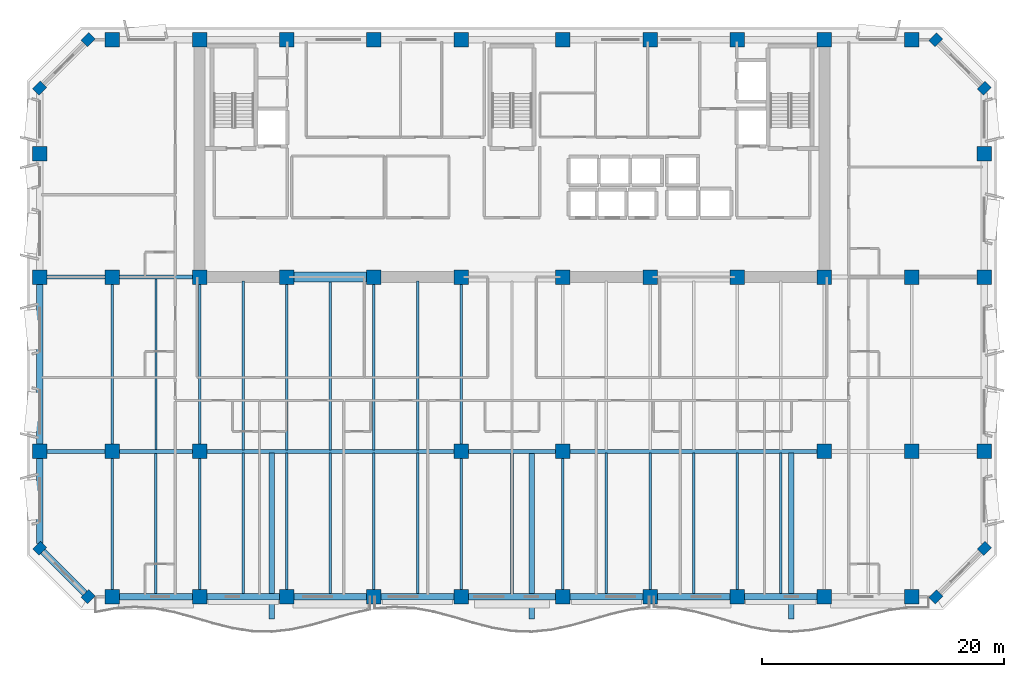
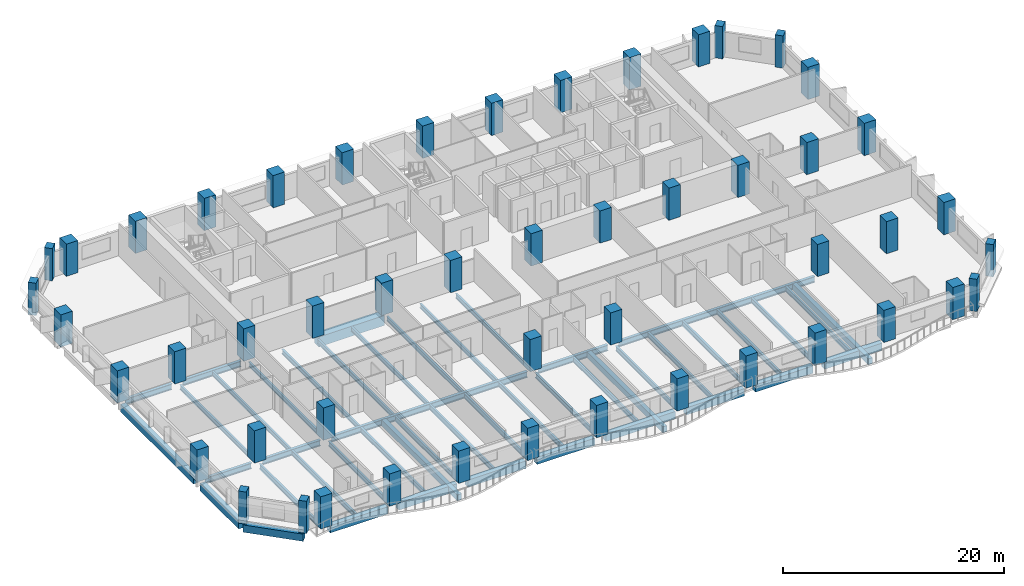
# One storey, part 1 of 14: 50 columns, 47 beams.
"""IFC4 building model written with IfcOpenShell, lengths in metres."""

from ifc_helpers import new_model, si_unit, direction, frame, origin, origin_2d, place, context, subcontext, project, spatial, rectangle, i_section, extrude, material, material_profile, profile_set, type_object, element, save


model = new_model("IFC4")

# Units and contexts
model_context = context("Model", 3, precision=1e-05, world=origin(), true_north=direction((0.0, 1.0)))
body_context = subcontext(model_context, "Body", "Model", "MODEL_VIEW")
ifc_project = project(units=[si_unit("LENGTHUNIT", "METRE"), si_unit("AREAUNIT", "SQUARE_METRE"), si_unit("VOLUMEUNIT", "CUBIC_METRE"), si_unit("PLANEANGLEUNIT", "RADIAN"), si_unit("MASSUNIT", "GRAM", prefix="KILO")], contexts=[model_context])

# Site, building, storey
site_placement = place(None, origin())
site = spatial("IfcSite", under=ifc_project, at=site_placement, CompositionType="ELEMENT")
building_placement = place(site_placement, origin())
building = spatial("IfcBuilding", under=site, at=building_placement, Name="Kaelvorn Grand Hotel", CompositionType="ELEMENT")
storey_placement = place(building_placement, frame((0.0, 0.0, 161.949951171875)))
storey = spatial("IfcBuildingStorey", under=building, at=storey_placement, Name="L39", CompositionType="ELEMENT", Elevation=161.949951171875)

# Columns
ifc_material_1 = material(Name="Concrete C60/75", Category="concrete")
ifc_material_profile_1 = material_profile(ifc_material_1, rectangle(XDim=0.89990234375, YDim=0.75, at=origin_2d()), Name="RC PILASTER 900x750")
ifc_profile_set_1 = profile_set([ifc_material_profile_1], Name="Concrete C60/75")
column_type_1 = type_object("IfcColumnType", Name="COL-PIL-900x750-C60", PredefinedType="PILASTER", material=ifc_profile_set_1)
for number, where, z_axis, x_axis, name in (
    (1, (7.0, 3.0, 0.0), (0.0, 0.0, 1.0), (0.707106781187, 0.707106781187, 0.0), "L39 Structural Column CH-01"),
    (2, (77.0, 3.0, 0.0), (0.0, 0.0, 1.0), (0.707106781187, 0.707106781187, 0.0), "L39 Structural Column CH-02"),
    (3, (81.0, 7.0, 0.0), (0.0, 0.0, 1.0), (0.707106781187, 0.707106781187, 0.0), "L39 Structural Column CH-03"),
    (4, (81.0, 45.0, 0.0), (0.0, 0.0, 1.0), (0.707106781187, 0.707106781187, 0.0), "L39 Structural Column CH-04"),
    (5, (77.0, 49.0, 0.0), (0.0, 0.0, 1.0), (0.707106781187, 0.707106781187, 0.0), "L39 Structural Column CH-05"),
    (6, (7.0, 49.0, 0.0), (0.0, 0.0, 1.0), (0.707106781187, 0.707106781187, 0.0), "L39 Structural Column CH-06"),
    (7, (3.0, 45.0, 0.0), (0.0, 0.0, 1.0), (0.707106781187, 0.707106781187, 0.0), "L39 Structural Column CH-07"),
    (8, (3.0, 7.0, 0.0), (0.0, 0.0, 1.0), (0.707106781187, 0.707106781187, 0.0), "L39 Structural Column CH-08"),
):
    element("IfcColumn", number, at=place(storey_placement, frame(where, z_axis=z_axis, x_axis=x_axis)), inside=storey, type_object=column_type_1, Name=name, PredefinedType="PILASTER", context=body_context, shape_type="SweptSolid", body=[
        extrude(rectangle(XDim=0.89990234375, YDim=0.75, at=origin_2d()), origin(), (0.0, 0.0, 1.0), 3.56005859375),
    ])
ifc_material_profile_2 = material_profile(ifc_material_1, rectangle(XDim=1.199951171875, YDim=1.199951171875, at=origin_2d()), Name="RC COL 1200x1200")
ifc_profile_set_2 = profile_set([ifc_material_profile_2], Name="Concrete C60/75")
column_type_2 = type_object("IfcColumnType", Name="COL-RC-1200-C60", PredefinedType="COLUMN", material=ifc_profile_set_2)
for number, where, z_axis, x_axis, name in (
    (9, (9.0, 3.0, 0.0), (0.0, 0.0, 1.0), (1.0, 0.0, 0.0), "L39 Structural Column S-01"),
    (10, (16.199951171875, 3.0, 0.0), (0.0, 0.0, 1.0), (1.0, 0.0, 0.0), "L39 Structural Column S-02"),
    (11, (23.39990234375, 3.0, 0.0), (0.0, 0.0, 1.0), (1.0, 0.0, 0.0), "L39 Structural Column S-03"),
    (12, (30.60009765625, 3.0, 0.0), (0.0, 0.0, 1.0), (1.0, 0.0, 0.0), "L39 Structural Column S-04"),
    (13, (37.800048828125, 3.0, 0.0), (0.0, 0.0, 1.0), (1.0, 0.0, 0.0), "L39 Structural Column S-05"),
    (14, (46.199951171875, 3.0, 0.0), (0.0, 0.0, 1.0), (1.0, 0.0, 0.0), "L39 Structural Column S-06"),
    (15, (53.39990234375, 3.0, 0.0), (0.0, 0.0, 1.0), (1.0, 0.0, 0.0), "L39 Structural Column S-07"),
    (16, (60.60009765625, 3.0, 0.0), (0.0, 0.0, 1.0), (1.0, 0.0, 0.0), "L39 Structural Column S-08"),
    (17, (67.800048828125, 3.0, 0.0), (0.0, 0.0, 1.0), (1.0, 0.0, 0.0), "L39 Structural Column S-09"),
    (18, (75.0, 3.0, 0.0), (0.0, 0.0, 1.0), (1.0, 0.0, 0.0), "L39 Structural Column S-10"),
    (19, (3.0, 15.0, 0.0), (0.0, 0.0, 1.0), (1.0, 0.0, 0.0), "L39 Structural Column W-01"),
    (20, (81.0, 15.0, 0.0), (0.0, 0.0, 1.0), (1.0, 0.0, 0.0), "L39 Structural Column E-01"),
    (21, (3.0, 29.39990234375, 0.0), (0.0, 0.0, 1.0), (1.0, 0.0, 0.0), "L39 Structural Column W-02"),
    (22, (81.0, 29.39990234375, 0.0), (0.0, 0.0, 1.0), (1.0, 0.0, 0.0), "L39 Structural Column E-02"),
    (23, (3.0, 39.60009765625, 0.0), (0.0, 0.0, 1.0), (1.0, 0.0, 0.0), "L39 Structural Column W-03"),
    (24, (81.0, 39.60009765625, 0.0), (0.0, 0.0, 1.0), (1.0, 0.0, 0.0), "L39 Structural Column E-03"),
    (25, (9.0, 15.0, 0.0), (0.0, 0.0, 1.0), (1.0, 0.0, 0.0), "L39 Structural Column M-01"),
    (26, (16.199951171875, 15.0, 0.0), (0.0, 0.0, 1.0), (1.0, 0.0, 0.0), "L39 Structural Column M-02"),
    (27, (37.800048828125, 15.0, 0.0), (0.0, 0.0, 1.0), (1.0, 0.0, 0.0), "L39 Structural Column M-03"),
    (28, (46.199951171875, 15.0, 0.0), (0.0, 0.0, 1.0), (1.0, 0.0, 0.0), "L39 Structural Column M-04"),
    (29, (67.800048828125, 15.0, 0.0), (0.0, 0.0, 1.0), (1.0, 0.0, 0.0), "L39 Structural Column M-05"),
    (30, (75.0, 15.0, 0.0), (0.0, 0.0, 1.0), (1.0, 0.0, 0.0), "L39 Structural Column M-06"),
    (31, (9.0, 29.39990234375, 0.0), (0.0, 0.0, 1.0), (1.0, 0.0, 0.0), "L39 Structural Column CR1-01"),
    (32, (9.0, 49.0, 0.0), (0.0, 0.0, 1.0), (1.0, 0.0, 0.0), "L39 Structural Column CR2-01"),
    (33, (16.199951171875, 29.39990234375, 0.0), (0.0, 0.0, 1.0), (1.0, 0.0, 0.0), "L39 Structural Column CR1-02"),
    (34, (16.199951171875, 49.0, 0.0), (0.0, 0.0, 1.0), (1.0, 0.0, 0.0), "L39 Structural Column CR2-02"),
    (35, (23.39990234375, 29.39990234375, 0.0), (0.0, 0.0, 1.0), (1.0, 0.0, 0.0), "L39 Structural Column CR1-03"),
    (36, (23.39990234375, 49.0, 0.0), (0.0, 0.0, 1.0), (1.0, 0.0, 0.0), "L39 Structural Column CR2-03"),
    (37, (30.60009765625, 29.39990234375, 0.0), (0.0, 0.0, 1.0), (1.0, 0.0, 0.0), "L39 Structural Column CR1-04"),
    (38, (30.60009765625, 49.0, 0.0), (0.0, 0.0, 1.0), (1.0, 0.0, 0.0), "L39 Structural Column CR2-04"),
    (39, (37.800048828125, 29.39990234375, 0.0), (0.0, 0.0, 1.0), (1.0, 0.0, 0.0), "L39 Structural Column CR1-05"),
    (40, (37.800048828125, 49.0, 0.0), (0.0, 0.0, 1.0), (1.0, 0.0, 0.0), "L39 Structural Column CR2-05"),
    (41, (46.199951171875, 29.39990234375, 0.0), (0.0, 0.0, 1.0), (1.0, 0.0, 0.0), "L39 Structural Column CR1-06"),
    (42, (46.199951171875, 49.0, 0.0), (0.0, 0.0, 1.0), (1.0, 0.0, 0.0), "L39 Structural Column CR2-06"),
    (43, (53.39990234375, 29.39990234375, 0.0), (0.0, 0.0, 1.0), (1.0, 0.0, 0.0), "L39 Structural Column CR1-07"),
    (44, (53.39990234375, 49.0, 0.0), (0.0, 0.0, 1.0), (1.0, 0.0, 0.0), "L39 Structural Column CR2-07"),
    (45, (60.60009765625, 29.39990234375, 0.0), (0.0, 0.0, 1.0), (1.0, 0.0, 0.0), "L39 Structural Column CR1-08"),
    (46, (60.60009765625, 49.0, 0.0), (0.0, 0.0, 1.0), (1.0, 0.0, 0.0), "L39 Structural Column CR2-08"),
    (47, (67.800048828125, 29.39990234375, 0.0), (0.0, 0.0, 1.0), (1.0, 0.0, 0.0), "L39 Structural Column CR1-09"),
    (48, (67.800048828125, 49.0, 0.0), (0.0, 0.0, 1.0), (1.0, 0.0, 0.0), "L39 Structural Column CR2-09"),
    (49, (75.0, 29.39990234375, 0.0), (0.0, 0.0, 1.0), (1.0, 0.0, 0.0), "L39 Structural Column CR1-10"),
    (50, (75.0, 49.0, 0.0), (0.0, 0.0, 1.0), (1.0, 0.0, 0.0), "L39 Structural Column CR2-10"),
):
    element("IfcColumn", number, at=place(storey_placement, frame(where, z_axis=z_axis, x_axis=x_axis)), inside=storey, type_object=column_type_2, Name=name, PredefinedType="COLUMN", context=body_context, shape_type="SweptSolid", body=[
        extrude(rectangle(XDim=1.199951171875, YDim=1.199951171875, at=origin_2d()), origin(), (0.0, 0.0, 1.0), 3.56005859375),
    ])

# Beams
ifc_material_2 = material(Name="Steel S355", Category="steel")
ifc_material_profile_3 = material_profile(ifc_material_2, i_section(OverallWidth=0.300048828125, OverallDepth=0.64990234375, WebThickness=0.01611328125, FlangeThickness=0.031005859375, FilletRadius=0.027099609375, at=origin_2d()), Name="HEB 650")
ifc_profile_set_3 = profile_set([ifc_material_profile_3], Name="Steel S355")
beam_type_1 = type_object("IfcBeamType", Name="BM-G-HEB650-S355", PredefinedType="BEAM", material=ifc_profile_set_3)
beam_1_placement = place(storey_placement, frame((3.5849609375, 15.0, -0.56494140625), z_axis=(1.0, 0.0, 0.0), x_axis=(0.0, 1.0, 0.0)))
element("IfcBeam", 51, at=beam_1_placement, inside=storey, type_object=beam_type_1, Name="L39 Primary Spine Steel Girder G-15 01", PredefinedType="BEAM", context=body_context, shape_type="SweptSolid", body=[
    extrude(i_section(OverallWidth=0.300048828125, OverallDepth=0.64990234375, WebThickness=0.01611328125, FlangeThickness=0.031005859375, FilletRadius=0.027099609375, at=origin_2d()), origin(), (0.0, 0.0, 1.0), 4.830078125),
])
beam_2_placement = place(storey_placement, frame((9.5849609375, 15.0, -0.56494140625), z_axis=(1.0, 0.0, 0.0), x_axis=(0.0, 1.0, 0.0)))
element("IfcBeam", 52, at=beam_2_placement, inside=storey, type_object=beam_type_1, Name="L39 Primary Spine Steel Girder G-15 02", PredefinedType="BEAM", context=body_context, shape_type="SweptSolid", body=[
    extrude(i_section(OverallWidth=0.300048828125, OverallDepth=0.64990234375, WebThickness=0.01611328125, FlangeThickness=0.031005859375, FilletRadius=0.027099609375, at=origin_2d()), origin(), (0.0, 0.0, 1.0), 6.030029296875),
])
beam_3_placement = place(storey_placement, frame((16.784912109375, 15.0, -0.56494140625), z_axis=(1.0, 0.0, 0.0), x_axis=(0.0, 1.0, 0.0)))
element("IfcBeam", 53, at=beam_3_placement, inside=storey, type_object=beam_type_1, Name="L39 Primary Spine Steel Girder G-15 03", PredefinedType="BEAM", context=body_context, shape_type="SweptSolid", body=[
    extrude(i_section(OverallWidth=0.300048828125, OverallDepth=0.64990234375, WebThickness=0.01611328125, FlangeThickness=0.031005859375, FilletRadius=0.027099609375, at=origin_2d()), origin(), (0.0, 0.0, 1.0), 20.43017578125),
])
beam_4_placement = place(storey_placement, frame((38.385009765625, 15.0, -0.56494140625), z_axis=(1.0, 0.0, 0.0), x_axis=(0.0, 1.0, 0.0)))
element("IfcBeam", 54, at=beam_4_placement, inside=storey, type_object=beam_type_1, Name="L39 Primary Spine Steel Girder G-15 04", PredefinedType="BEAM", context=body_context, shape_type="SweptSolid", body=[
    extrude(i_section(OverallWidth=0.300048828125, OverallDepth=0.64990234375, WebThickness=0.01611328125, FlangeThickness=0.031005859375, FilletRadius=0.027099609375, at=origin_2d()), origin(), (0.0, 0.0, 1.0), 7.22998046875),
])
beam_5_placement = place(storey_placement, frame((46.784912109375, 15.0, -0.56494140625), z_axis=(1.0, 0.0, 0.0), x_axis=(0.0, 1.0, 0.0)))
element("IfcBeam", 55, at=beam_5_placement, inside=storey, type_object=beam_type_1, Name="L39 Primary Spine Steel Girder G-15 05", PredefinedType="BEAM", context=body_context, shape_type="SweptSolid", body=[
    extrude(i_section(OverallWidth=0.300048828125, OverallDepth=0.64990234375, WebThickness=0.01611328125, FlangeThickness=0.031005859375, FilletRadius=0.027099609375, at=origin_2d()), origin(), (0.0, 0.0, 1.0), 20.43017578125),
])
beam_6_placement = place(storey_placement, frame((3.5849609375, 29.39990234375, -0.56494140625), z_axis=(1.0, 0.0, 0.0), x_axis=(0.0, 1.0, 0.0)))
element("IfcBeam", 56, at=beam_6_placement, inside=storey, type_object=beam_type_1, Name="L39 West Core Wing Steel Girder G-29W 01", PredefinedType="BEAM", context=body_context, shape_type="SweptSolid", body=[
    extrude(i_section(OverallWidth=0.300048828125, OverallDepth=0.64990234375, WebThickness=0.01611328125, FlangeThickness=0.031005859375, FilletRadius=0.027099609375, at=origin_2d()), origin(), (0.0, 0.0, 1.0), 4.830078125),
])
beam_7_placement = place(storey_placement, frame((9.5849609375, 29.39990234375, -0.56494140625), z_axis=(1.0, 0.0, 0.0), x_axis=(0.0, 1.0, 0.0)))
element("IfcBeam", 57, at=beam_7_placement, inside=storey, type_object=beam_type_1, Name="L39 West Core Wing Steel Girder G-29W 02", PredefinedType="BEAM", context=body_context, shape_type="SweptSolid", body=[
    extrude(i_section(OverallWidth=0.300048828125, OverallDepth=0.64990234375, WebThickness=0.01611328125, FlangeThickness=0.031005859375, FilletRadius=0.027099609375, at=origin_2d()), origin(), (0.0, 0.0, 1.0), 6.030029296875),
])
ifc_material_profile_4 = material_profile(ifc_material_2, i_section(OverallWidth=0.199951171875, OverallDepth=0.5, WebThickness=0.01025390625, FlangeThickness=0.01611328125, FilletRadius=0.02099609375, at=origin_2d()), Name="IPE 500")
ifc_profile_set_4 = profile_set([ifc_material_profile_4], Name="Steel S355")
beam_type_2 = type_object("IfcBeamType", Name="BM-J-IPE500-S355", PredefinedType="JOIST", material=ifc_profile_set_4)
beam_8_placement = place(storey_placement, frame((9.0, 15.5849609375, -0.489990234375), z_axis=(0.0, 1.0, 0.0), x_axis=(-1.0, 0.0, 0.0)))
element("IfcBeam", 58, at=beam_8_placement, inside=storey, type_object=beam_type_2, Name="L39 Composite Floor Joist JM-03", PredefinedType="JOIST", context=body_context, shape_type="SweptSolid", body=[
    extrude(i_section(OverallWidth=0.199951171875, OverallDepth=0.5, WebThickness=0.01025390625, FlangeThickness=0.01611328125, FilletRadius=0.02099609375, at=origin_2d()), origin(), (0.0, 0.0, 1.0), 13.22998046875),
])
beam_9_placement = place(storey_placement, frame((12.60009765625, 15.135009765625, -0.489990234375), z_axis=(0.0, 1.0, 0.0), x_axis=(-1.0, 0.0, 0.0)))
element("IfcBeam", 59, at=beam_9_placement, inside=storey, type_object=beam_type_2, Name="L39 Composite Floor Joist JM-04", PredefinedType="JOIST", context=body_context, shape_type="SweptSolid", body=[
    extrude(i_section(OverallWidth=0.199951171875, OverallDepth=0.5, WebThickness=0.01025390625, FlangeThickness=0.01611328125, FilletRadius=0.02099609375, at=origin_2d()), origin(), (0.0, 0.0, 1.0), 14.1298828125),
])
beam_10_placement = place(storey_placement, frame((16.199951171875, 15.5849609375, -0.489990234375), z_axis=(0.0, 1.0, 0.0), x_axis=(-1.0, 0.0, 0.0)))
element("IfcBeam", 60, at=beam_10_placement, inside=storey, type_object=beam_type_2, Name="L39 Composite Floor Joist JM-05", PredefinedType="JOIST", context=body_context, shape_type="SweptSolid", body=[
    extrude(i_section(OverallWidth=0.199951171875, OverallDepth=0.5, WebThickness=0.01025390625, FlangeThickness=0.01611328125, FilletRadius=0.02099609375, at=origin_2d()), origin(), (0.0, 0.0, 1.0), 13.22998046875),
])
beam_11_placement = place(storey_placement, frame((19.800048828125, 15.135009765625, -0.489990234375), z_axis=(0.0, 1.0, 0.0), x_axis=(-1.0, 0.0, 0.0)))
element("IfcBeam", 61, at=beam_11_placement, inside=storey, type_object=beam_type_2, Name="L39 Composite Floor Joist JM-06", PredefinedType="JOIST", context=body_context, shape_type="SweptSolid", body=[
    extrude(i_section(OverallWidth=0.199951171875, OverallDepth=0.5, WebThickness=0.01025390625, FlangeThickness=0.01611328125, FilletRadius=0.02099609375, at=origin_2d()), origin(), (0.0, 0.0, 1.0), 13.925048828125),
])
beam_12_placement = place(storey_placement, frame((23.39990234375, 15.135009765625, -0.489990234375), z_axis=(0.0, 1.0, 0.0), x_axis=(-1.0, 0.0, 0.0)))
element("IfcBeam", 62, at=beam_12_placement, inside=storey, type_object=beam_type_2, Name="L39 Composite Floor Joist JM-07", PredefinedType="JOIST", context=body_context, shape_type="SweptSolid", body=[
    extrude(i_section(OverallWidth=0.199951171875, OverallDepth=0.5, WebThickness=0.01025390625, FlangeThickness=0.01611328125, FilletRadius=0.02099609375, at=origin_2d()), origin(), (0.0, 0.0, 1.0), 13.679931640625),
])
beam_13_placement = place(storey_placement, frame((27.0, 15.135009765625, -0.489990234375), z_axis=(0.0, 1.0, 0.0), x_axis=(-1.0, 0.0, 0.0)))
element("IfcBeam", 63, at=beam_13_placement, inside=storey, type_object=beam_type_2, Name="L39 Composite Floor Joist JM-08", PredefinedType="JOIST", context=body_context, shape_type="SweptSolid", body=[
    extrude(i_section(OverallWidth=0.199951171875, OverallDepth=0.5, WebThickness=0.01025390625, FlangeThickness=0.01611328125, FilletRadius=0.02099609375, at=origin_2d()), origin(), (0.0, 0.0, 1.0), 13.925048828125),
])
beam_14_placement = place(storey_placement, frame((30.60009765625, 15.135009765625, -0.489990234375), z_axis=(0.0, 1.0, 0.0), x_axis=(-1.0, 0.0, 0.0)))
element("IfcBeam", 64, at=beam_14_placement, inside=storey, type_object=beam_type_2, Name="L39 Composite Floor Joist JM-09", PredefinedType="JOIST", context=body_context, shape_type="SweptSolid", body=[
    extrude(i_section(OverallWidth=0.199951171875, OverallDepth=0.5, WebThickness=0.01025390625, FlangeThickness=0.01611328125, FilletRadius=0.02099609375, at=origin_2d()), origin(), (0.0, 0.0, 1.0), 13.679931640625),
])
beam_15_placement = place(storey_placement, frame((34.199951171875, 15.135009765625, -0.489990234375), z_axis=(0.0, 1.0, 0.0), x_axis=(-1.0, 0.0, 0.0)))
element("IfcBeam", 65, at=beam_15_placement, inside=storey, type_object=beam_type_2, Name="L39 Composite Floor Joist JM-10", PredefinedType="JOIST", context=body_context, shape_type="SweptSolid", body=[
    extrude(i_section(OverallWidth=0.199951171875, OverallDepth=0.5, WebThickness=0.01025390625, FlangeThickness=0.01611328125, FilletRadius=0.02099609375, at=origin_2d()), origin(), (0.0, 0.0, 1.0), 13.925048828125),
])
beam_16_placement = place(storey_placement, frame((37.800048828125, 15.5849609375, -0.489990234375), z_axis=(0.0, 1.0, 0.0), x_axis=(-1.0, 0.0, 0.0)))
element("IfcBeam", 66, at=beam_16_placement, inside=storey, type_object=beam_type_2, Name="L39 Composite Floor Joist JM-11", PredefinedType="JOIST", context=body_context, shape_type="SweptSolid", body=[
    extrude(i_section(OverallWidth=0.199951171875, OverallDepth=0.5, WebThickness=0.01025390625, FlangeThickness=0.01611328125, FilletRadius=0.02099609375, at=origin_2d()), origin(), (0.0, 0.0, 1.0), 13.22998046875),
])
ifc_material_profile_5 = material_profile(ifc_material_2, i_section(OverallWidth=0.2099609375, OverallDepth=0.550048828125, WebThickness=0.010986328125, FlangeThickness=0.01708984375, FilletRadius=0.02392578125, at=origin_2d()), Name="IPE 550")
ifc_profile_set_5 = profile_set([ifc_material_profile_5], Name="Steel S355")
beam_type_3 = type_object("IfcBeamType", Name="BM-J-IPE550-S355", PredefinedType="JOIST", material=ifc_profile_set_5)
beam_17_placement = place(storey_placement, frame((9.0, 3.5849609375, -0.514892578125), z_axis=(0.0, 1.0, 0.0), x_axis=(-1.0, 0.0, 0.0)))
element("IfcBeam", 67, at=beam_17_placement, inside=storey, type_object=beam_type_3, Name="L39 Composite Floor Joist JS-03", PredefinedType="JOIST", context=body_context, shape_type="SweptSolid", body=[
    extrude(i_section(OverallWidth=0.2099609375, OverallDepth=0.550048828125, WebThickness=0.010986328125, FlangeThickness=0.01708984375, FilletRadius=0.02392578125, at=origin_2d()), origin(), (0.0, 0.0, 1.0), 10.830078125),
])
beam_18_placement = place(storey_placement, frame((12.60009765625, 3.260009765625, -0.514892578125), z_axis=(0.0, 1.0, 0.0), x_axis=(-1.0, 0.0, 0.0)))
element("IfcBeam", 68, at=beam_18_placement, inside=storey, type_object=beam_type_3, Name="L39 Composite Floor Joist JS-04", PredefinedType="JOIST", context=body_context, shape_type="SweptSolid", body=[
    extrude(i_section(OverallWidth=0.2099609375, OverallDepth=0.550048828125, WebThickness=0.010986328125, FlangeThickness=0.01708984375, FilletRadius=0.02392578125, at=origin_2d()), origin(), (0.0, 0.0, 1.0), 11.60498046875),
])
beam_19_placement = place(storey_placement, frame((16.199951171875, 3.5849609375, -0.514892578125), z_axis=(0.0, 1.0, 0.0), x_axis=(-1.0, 0.0, 0.0)))
element("IfcBeam", 69, at=beam_19_placement, inside=storey, type_object=beam_type_3, Name="L39 Composite Floor Joist JS-05", PredefinedType="JOIST", context=body_context, shape_type="SweptSolid", body=[
    extrude(i_section(OverallWidth=0.2099609375, OverallDepth=0.550048828125, WebThickness=0.010986328125, FlangeThickness=0.01708984375, FilletRadius=0.02392578125, at=origin_2d()), origin(), (0.0, 0.0, 1.0), 10.830078125),
])
beam_20_placement = place(storey_placement, frame((19.800048828125, 3.260009765625, -0.514892578125), z_axis=(0.0, 1.0, 0.0), x_axis=(-1.0, 0.0, 0.0)))
element("IfcBeam", 70, at=beam_20_placement, inside=storey, type_object=beam_type_3, Name="L39 Composite Floor Joist JS-06", PredefinedType="JOIST", context=body_context, shape_type="SweptSolid", body=[
    extrude(i_section(OverallWidth=0.2099609375, OverallDepth=0.550048828125, WebThickness=0.010986328125, FlangeThickness=0.01708984375, FilletRadius=0.02392578125, at=origin_2d()), origin(), (0.0, 0.0, 1.0), 11.60498046875),
])
beam_21_placement = place(storey_placement, frame((23.39990234375, 3.5849609375, -0.514892578125), z_axis=(0.0, 1.0, 0.0), x_axis=(-1.0, 0.0, 0.0)))
element("IfcBeam", 71, at=beam_21_placement, inside=storey, type_object=beam_type_3, Name="L39 Composite Floor Joist JS-07", PredefinedType="JOIST", context=body_context, shape_type="SweptSolid", body=[
    extrude(i_section(OverallWidth=0.2099609375, OverallDepth=0.550048828125, WebThickness=0.010986328125, FlangeThickness=0.01708984375, FilletRadius=0.02392578125, at=origin_2d()), origin(), (0.0, 0.0, 1.0), 11.280029296875),
])
beam_22_placement = place(storey_placement, frame((27.0, 3.260009765625, -0.514892578125), z_axis=(0.0, 1.0, 0.0), x_axis=(-1.0, 0.0, 0.0)))
element("IfcBeam", 72, at=beam_22_placement, inside=storey, type_object=beam_type_3, Name="L39 Composite Floor Joist JS-08", PredefinedType="JOIST", context=body_context, shape_type="SweptSolid", body=[
    extrude(i_section(OverallWidth=0.2099609375, OverallDepth=0.550048828125, WebThickness=0.010986328125, FlangeThickness=0.01708984375, FilletRadius=0.02392578125, at=origin_2d()), origin(), (0.0, 0.0, 1.0), 11.60498046875),
])
beam_23_placement = place(storey_placement, frame((30.60009765625, 3.5849609375, -0.514892578125), z_axis=(0.0, 1.0, 0.0), x_axis=(-1.0, 0.0, 0.0)))
element("IfcBeam", 73, at=beam_23_placement, inside=storey, type_object=beam_type_3, Name="L39 Composite Floor Joist JS-09", PredefinedType="JOIST", context=body_context, shape_type="SweptSolid", body=[
    extrude(i_section(OverallWidth=0.2099609375, OverallDepth=0.550048828125, WebThickness=0.010986328125, FlangeThickness=0.01708984375, FilletRadius=0.02392578125, at=origin_2d()), origin(), (0.0, 0.0, 1.0), 11.280029296875),
])
beam_24_placement = place(storey_placement, frame((34.199951171875, 3.260009765625, -0.514892578125), z_axis=(0.0, 1.0, 0.0), x_axis=(-1.0, 0.0, 0.0)))
element("IfcBeam", 74, at=beam_24_placement, inside=storey, type_object=beam_type_3, Name="L39 Composite Floor Joist JS-10", PredefinedType="JOIST", context=body_context, shape_type="SweptSolid", body=[
    extrude(i_section(OverallWidth=0.2099609375, OverallDepth=0.550048828125, WebThickness=0.010986328125, FlangeThickness=0.01708984375, FilletRadius=0.02392578125, at=origin_2d()), origin(), (0.0, 0.0, 1.0), 11.60498046875),
])
beam_25_placement = place(storey_placement, frame((37.800048828125, 3.5849609375, -0.514892578125), z_axis=(0.0, 1.0, 0.0), x_axis=(-1.0, 0.0, 0.0)))
element("IfcBeam", 75, at=beam_25_placement, inside=storey, type_object=beam_type_3, Name="L39 Composite Floor Joist JS-11", PredefinedType="JOIST", context=body_context, shape_type="SweptSolid", body=[
    extrude(i_section(OverallWidth=0.2099609375, OverallDepth=0.550048828125, WebThickness=0.010986328125, FlangeThickness=0.01708984375, FilletRadius=0.02392578125, at=origin_2d()), origin(), (0.0, 0.0, 1.0), 10.830078125),
])
beam_26_placement = place(storey_placement, frame((42.0, 3.260009765625, -0.514892578125), z_axis=(0.0, 1.0, 0.0), x_axis=(-1.0, 0.0, 0.0)))
element("IfcBeam", 76, at=beam_26_placement, inside=storey, type_object=beam_type_3, Name="L39 Composite Floor Joist JS-12", PredefinedType="JOIST", context=body_context, shape_type="SweptSolid", body=[
    extrude(i_section(OverallWidth=0.2099609375, OverallDepth=0.550048828125, WebThickness=0.010986328125, FlangeThickness=0.01708984375, FilletRadius=0.02392578125, at=origin_2d()), origin(), (0.0, 0.0, 1.0), 11.60498046875),
])
beam_27_placement = place(storey_placement, frame((46.199951171875, 3.5849609375, -0.514892578125), z_axis=(0.0, 1.0, 0.0), x_axis=(-1.0, 0.0, 0.0)))
element("IfcBeam", 77, at=beam_27_placement, inside=storey, type_object=beam_type_3, Name="L39 Composite Floor Joist JS-13", PredefinedType="JOIST", context=body_context, shape_type="SweptSolid", body=[
    extrude(i_section(OverallWidth=0.2099609375, OverallDepth=0.550048828125, WebThickness=0.010986328125, FlangeThickness=0.01708984375, FilletRadius=0.02392578125, at=origin_2d()), origin(), (0.0, 0.0, 1.0), 10.830078125),
])
beam_28_placement = place(storey_placement, frame((49.800048828125, 3.260009765625, -0.514892578125), z_axis=(0.0, 1.0, 0.0), x_axis=(-1.0, 0.0, 0.0)))
element("IfcBeam", 78, at=beam_28_placement, inside=storey, type_object=beam_type_3, Name="L39 Composite Floor Joist JS-14", PredefinedType="JOIST", context=body_context, shape_type="SweptSolid", body=[
    extrude(i_section(OverallWidth=0.2099609375, OverallDepth=0.550048828125, WebThickness=0.010986328125, FlangeThickness=0.01708984375, FilletRadius=0.02392578125, at=origin_2d()), origin(), (0.0, 0.0, 1.0), 11.60498046875),
])
beam_29_placement = place(storey_placement, frame((53.39990234375, 3.5849609375, -0.514892578125), z_axis=(0.0, 1.0, 0.0), x_axis=(-1.0, 0.0, 0.0)))
element("IfcBeam", 79, at=beam_29_placement, inside=storey, type_object=beam_type_3, Name="L39 Composite Floor Joist JS-15", PredefinedType="JOIST", context=body_context, shape_type="SweptSolid", body=[
    extrude(i_section(OverallWidth=0.2099609375, OverallDepth=0.550048828125, WebThickness=0.010986328125, FlangeThickness=0.01708984375, FilletRadius=0.02392578125, at=origin_2d()), origin(), (0.0, 0.0, 1.0), 11.280029296875),
])
beam_30_placement = place(storey_placement, frame((57.0, 3.260009765625, -0.514892578125), z_axis=(0.0, 1.0, 0.0), x_axis=(-1.0, 0.0, 0.0)))
element("IfcBeam", 80, at=beam_30_placement, inside=storey, type_object=beam_type_3, Name="L39 Composite Floor Joist JS-16", PredefinedType="JOIST", context=body_context, shape_type="SweptSolid", body=[
    extrude(i_section(OverallWidth=0.2099609375, OverallDepth=0.550048828125, WebThickness=0.010986328125, FlangeThickness=0.01708984375, FilletRadius=0.02392578125, at=origin_2d()), origin(), (0.0, 0.0, 1.0), 11.60498046875),
])
beam_31_placement = place(storey_placement, frame((60.60009765625, 3.5849609375, -0.514892578125), z_axis=(0.0, 1.0, 0.0), x_axis=(-1.0, 0.0, 0.0)))
element("IfcBeam", 81, at=beam_31_placement, inside=storey, type_object=beam_type_3, Name="L39 Composite Floor Joist JS-17", PredefinedType="JOIST", context=body_context, shape_type="SweptSolid", body=[
    extrude(i_section(OverallWidth=0.2099609375, OverallDepth=0.550048828125, WebThickness=0.010986328125, FlangeThickness=0.01708984375, FilletRadius=0.02392578125, at=origin_2d()), origin(), (0.0, 0.0, 1.0), 11.280029296875),
])
beam_32_placement = place(storey_placement, frame((64.199951171875, 3.260009765625, -0.514892578125), z_axis=(0.0, 1.0, 0.0), x_axis=(-1.0, 0.0, 0.0)))
element("IfcBeam", 82, at=beam_32_placement, inside=storey, type_object=beam_type_3, Name="L39 Composite Floor Joist JS-18", PredefinedType="JOIST", context=body_context, shape_type="SweptSolid", body=[
    extrude(i_section(OverallWidth=0.2099609375, OverallDepth=0.550048828125, WebThickness=0.010986328125, FlangeThickness=0.01708984375, FilletRadius=0.02392578125, at=origin_2d()), origin(), (0.0, 0.0, 1.0), 11.60498046875),
])
ifc_material_profile_6 = material_profile(ifc_material_1, rectangle(XDim=0.800048828125, YDim=1.10009765625, at=origin_2d()), Name="RC LINTEL 800x1100")
ifc_profile_set_6 = profile_set([ifc_material_profile_6], Name="Concrete C60/75")
beam_type_4 = type_object("IfcBeamType", Name="BM-LIN-800x1100-C60", PredefinedType="LINTEL", material=ifc_profile_set_6)
beam_33_placement = place(storey_placement, frame((23.580078125, 29.39990234375, -0.7900390625), z_axis=(1.0, 0.0, 0.0), x_axis=(0.0, 1.0, 0.0)))
element("IfcBeam", 83, at=beam_33_placement, inside=storey, type_object=beam_type_4, Name="L39 Rear-Core Coupling Lintel Beam CB1-01", PredefinedType="LINTEL", context=body_context, shape_type="SweptSolid", body=[
    extrude(rectangle(XDim=0.800048828125, YDim=1.10009765625, at=origin_2d()), origin(), (0.0, 0.0, 1.0), 6.83984375),
])
ifc_material_3 = material(Name="Concrete C40/50", Category="concrete")
ifc_material_profile_7 = material_profile(ifc_material_3, rectangle(XDim=0.449951171875, YDim=0.64990234375, at=origin_2d()), Name="RC RIB 450x650")
ifc_profile_set_7 = profile_set([ifc_material_profile_7], Name="Concrete C40/50")
beam_type_5 = type_object("IfcBeamType", Name="BM-RIB-450x650-C40", PredefinedType="SPANDREL", material=ifc_profile_set_7)
for number, where, z_axis, x_axis, name in (
    (84, (22.17138671875, 1.14990234375, -0.544921875), (0.0, 1.0, 0.0), (-1.0, 0.0, 0.0), "L39 Cantilevered Balcony Back-Span Rib RB1-1"),
    (85, (43.618896484375, 1.14990234375, -0.544921875), (0.0, 1.0, 0.0), (-1.0, 0.0, 0.0), "L39 Cantilevered Balcony Back-Span Rib RB1-2"),
    (86, (65.066650390625, 1.14990234375, -0.544921875), (0.0, 1.0, 0.0), (-1.0, 0.0, 0.0), "L39 Cantilevered Balcony Back-Span Rib RB1-3"),
):
    element("IfcBeam", number, at=place(storey_placement, frame(where, z_axis=z_axis, x_axis=x_axis)), inside=storey, type_object=beam_type_5, Name=name, PredefinedType="SPANDREL", context=body_context, shape_type="SweptSolid", body=[
        extrude(rectangle(XDim=0.449951171875, YDim=0.64990234375, at=origin_2d()), origin(), (0.0, 0.0, 1.0), 13.715087890625),
    ])
ifc_material_4 = material(Name="Concrete C50/60", Category="concrete")
ifc_material_profile_8 = material_profile(ifc_material_4, rectangle(XDim=0.550048828125, YDim=0.800048828125, at=origin_2d()), Name="RC SPANDREL 550x800")
ifc_profile_set_8 = profile_set([ifc_material_profile_8], Name="Concrete C50/60")
beam_type_6 = type_object("IfcBeamType", Name="BM-SP-550x800-C50", PredefinedType="SPANDREL", material=ifc_profile_set_8)
for number, where, z_axis, x_axis, name in (
    (87, (9.5849609375, 3.0, -0.639892578125), (1.0, 0.0, 0.0), (0.0, 1.0, 0.0), "L39 South Perimeter Spandrel 02"),
    (88, (16.784912109375, 3.0, -0.639892578125), (1.0, 0.0, 0.0), (0.0, 1.0, 0.0), "L39 South Perimeter Spandrel 03"),
):
    element("IfcBeam", number, at=place(storey_placement, frame(where, z_axis=z_axis, x_axis=x_axis)), inside=storey, type_object=beam_type_6, Name=name, PredefinedType="SPANDREL", context=body_context, shape_type="SweptSolid", body=[
        extrude(rectangle(XDim=0.550048828125, YDim=0.800048828125, at=origin_2d()), origin(), (0.0, 0.0, 1.0), 6.030029296875),
    ])
beam_34_placement = place(storey_placement, frame((23.985107421875, 3.0, -0.639892578125), z_axis=(1.0, 0.0, 0.0), x_axis=(0.0, 1.0, 0.0)))
element("IfcBeam", 89, at=beam_34_placement, inside=storey, type_object=beam_type_6, Name="L39 South Perimeter Spandrel 04", PredefinedType="SPANDREL", context=body_context, shape_type="SweptSolid", body=[
    extrude(rectangle(XDim=0.550048828125, YDim=0.800048828125, at=origin_2d()), origin(), (0.0, 0.0, 1.0), 6.02978515625),
])
beam_35_placement = place(storey_placement, frame((31.18505859375, 3.0, -0.639892578125), z_axis=(1.0, 0.0, 0.0), x_axis=(0.0, 1.0, 0.0)))
element("IfcBeam", 90, at=beam_35_placement, inside=storey, type_object=beam_type_6, Name="L39 South Perimeter Spandrel 05", PredefinedType="SPANDREL", context=body_context, shape_type="SweptSolid", body=[
    extrude(rectangle(XDim=0.550048828125, YDim=0.800048828125, at=origin_2d()), origin(), (0.0, 0.0, 1.0), 6.030029296875),
])
beam_36_placement = place(storey_placement, frame((38.385009765625, 3.0, -0.639892578125), z_axis=(1.0, 0.0, 0.0), x_axis=(0.0, 1.0, 0.0)))
element("IfcBeam", 91, at=beam_36_placement, inside=storey, type_object=beam_type_6, Name="L39 South Perimeter Spandrel 06", PredefinedType="SPANDREL", context=body_context, shape_type="SweptSolid", body=[
    extrude(rectangle(XDim=0.550048828125, YDim=0.800048828125, at=origin_2d()), origin(), (0.0, 0.0, 1.0), 7.22998046875),
])
beam_37_placement = place(storey_placement, frame((46.784912109375, 3.0, -0.639892578125), z_axis=(1.0, 0.0, 0.0), x_axis=(0.0, 1.0, 0.0)))
element("IfcBeam", 92, at=beam_37_placement, inside=storey, type_object=beam_type_6, Name="L39 South Perimeter Spandrel 07", PredefinedType="SPANDREL", context=body_context, shape_type="SweptSolid", body=[
    extrude(rectangle(XDim=0.550048828125, YDim=0.800048828125, at=origin_2d()), origin(), (0.0, 0.0, 1.0), 6.030029296875),
])
beam_38_placement = place(storey_placement, frame((53.985107421875, 3.0, -0.639892578125), z_axis=(1.0, 0.0, 0.0), x_axis=(0.0, 1.0, 0.0)))
element("IfcBeam", 93, at=beam_38_placement, inside=storey, type_object=beam_type_6, Name="L39 South Perimeter Spandrel 08", PredefinedType="SPANDREL", context=body_context, shape_type="SweptSolid", body=[
    extrude(rectangle(XDim=0.550048828125, YDim=0.800048828125, at=origin_2d()), origin(), (0.0, 0.0, 1.0), 6.02978515625),
])
beam_39_placement = place(storey_placement, frame((61.18505859375, 3.0, -0.639892578125), z_axis=(1.0, 0.0, 0.0), x_axis=(0.0, 1.0, 0.0)))
element("IfcBeam", 94, at=beam_39_placement, inside=storey, type_object=beam_type_6, Name="L39 South Perimeter Spandrel 09", PredefinedType="SPANDREL", context=body_context, shape_type="SweptSolid", body=[
    extrude(rectangle(XDim=0.550048828125, YDim=0.800048828125, at=origin_2d()), origin(), (0.0, 0.0, 1.0), 6.030029296875),
])
beam_40_placement = place(storey_placement, frame((3.0, 7.405029296875, -0.639892578125), z_axis=(0.0, 1.0, 0.0), x_axis=(-1.0, 0.0, 0.0)))
element("IfcBeam", 95, at=beam_40_placement, inside=storey, type_object=beam_type_6, Name="L39 West Perimeter Spandrel 01", PredefinedType="SPANDREL", context=body_context, shape_type="SweptSolid", body=[
    extrude(rectangle(XDim=0.550048828125, YDim=0.800048828125, at=origin_2d()), origin(), (0.0, 0.0, 1.0), 7.010009765625),
])
beam_41_placement = place(storey_placement, frame((3.0, 15.5849609375, -0.639892578125), z_axis=(0.0, 1.0, 0.0), x_axis=(-1.0, 0.0, 0.0)))
element("IfcBeam", 96, at=beam_41_placement, inside=storey, type_object=beam_type_6, Name="L39 West Perimeter Spandrel 02", PredefinedType="SPANDREL", context=body_context, shape_type="SweptSolid", body=[
    extrude(rectangle(XDim=0.550048828125, YDim=0.800048828125, at=origin_2d()), origin(), (0.0, 0.0, 1.0), 13.22998046875),
])
beam_42_placement = place(storey_placement, frame((3.0, 7.0, -0.639892578125), z_axis=(0.707106781187, -0.707106781187, 0.0), x_axis=(0.707106781187, 0.707106781187, 0.0)))
element("IfcBeam", 97, at=beam_42_placement, inside=storey, type_object=beam_type_6, Name="L39 Chamfer Spandrel Beam 4", PredefinedType="SPANDREL", context=body_context, shape_type="SweptSolid", body=[
    extrude(rectangle(XDim=0.550048828125, YDim=0.800048828125, at=origin_2d()), origin(), (0.0, 0.0, 1.0), 5.65673828125),
])

save(model, "model.ifc")
